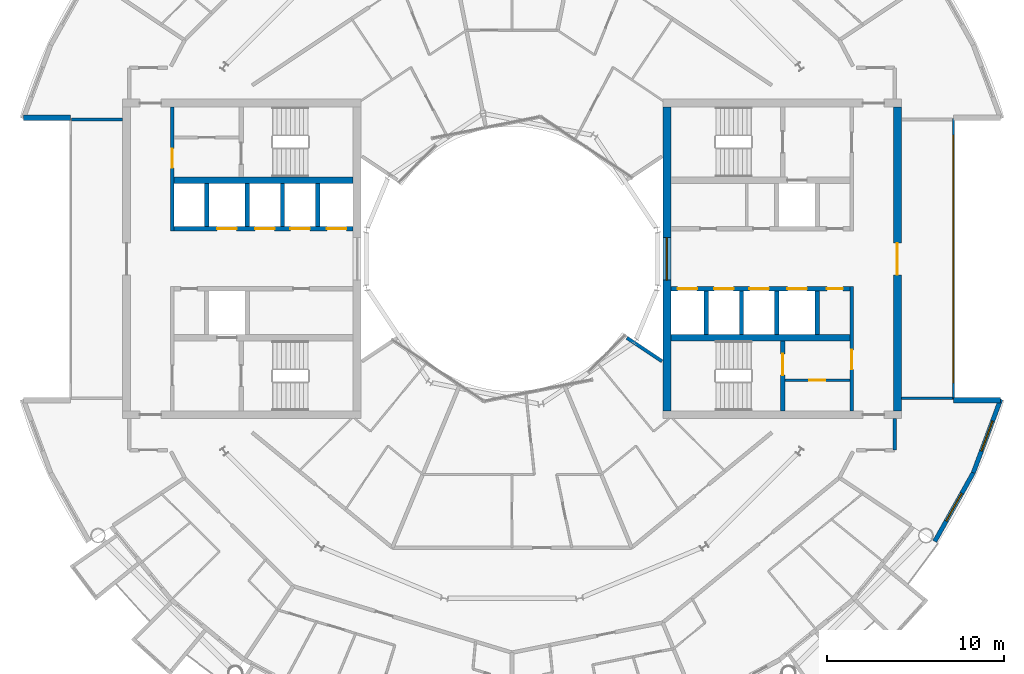
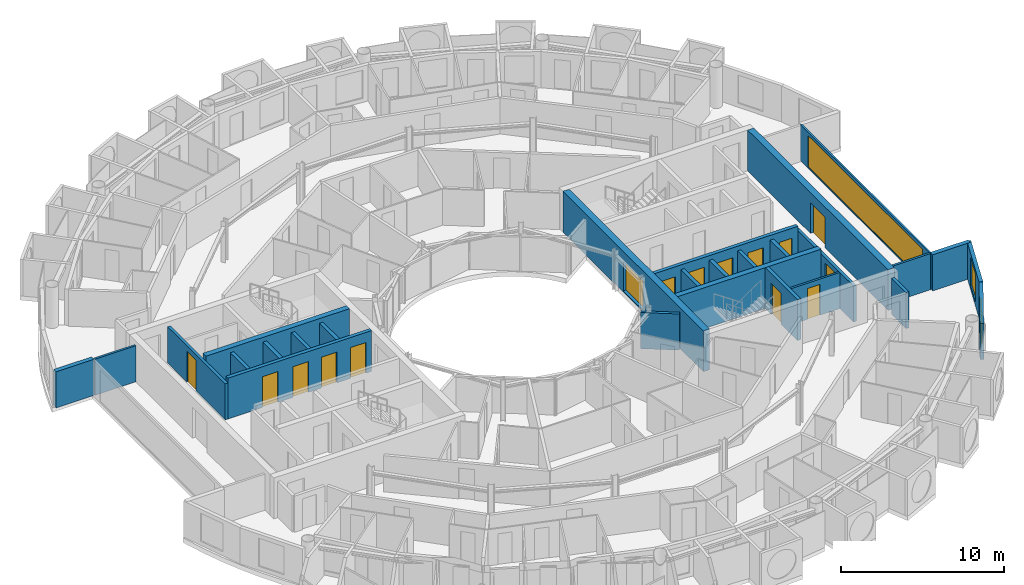
# One storey, part 19 of 27: 27 walls, 14 doors, 4 windows, 18 openings.
"""IFC4 building model written with IfcOpenShell, lengths in metres."""

from ifc_helpers import new_model, si_unit, direction, frame, frame_2d, origin, place, context, subcontext, project, spatial, rectangle, extrude, material, layer, layer_set, type_object, element, fill, save


model = new_model("IFC4")

# Units and contexts
model_context = context("Model", 3, precision=1e-05, world=origin(), true_north=direction((0.0, 1.0)))
body_context = subcontext(model_context, "Body", "Model", "MODEL_VIEW")
ifc_project = project(units=[si_unit("LENGTHUNIT", "METRE"), si_unit("AREAUNIT", "SQUARE_METRE"), si_unit("VOLUMEUNIT", "CUBIC_METRE"), si_unit("PLANEANGLEUNIT", "RADIAN"), si_unit("MASSUNIT", "GRAM", prefix="KILO")], contexts=[model_context])

# Site, building, storey
site_placement = place(None, origin())
site = spatial("IfcSite", under=ifc_project, at=site_placement, CompositionType="ELEMENT")
building_placement = place(site_placement, origin())
building = spatial("IfcBuilding", under=site, at=building_placement, Name="Maasbend Ring Residences", CompositionType="ELEMENT")
storey_placement = place(building_placement, frame((0.0, 0.0, 199.35009765625)))
storey = spatial("IfcBuildingStorey", under=building, at=storey_placement, Name="L57", CompositionType="ELEMENT", Elevation=199.35009765625)

# Wall, openings, doors
ifc_material_1 = material(Name="Concrete C50/60", Category="concrete")
ifc_layer_1 = layer(ifc_material_1, 0.25)
ifc_layer_set_1 = layer_set([ifc_layer_1], Name="Concrete C50/60")
wall_type_1 = type_object("IfcWallType", Name="CORE WALL 250 C50/60", PredefinedType="SHEAR", material=ifc_layer_set_1)
wall_1_placement = place(storey_placement, frame((19.14990234375, -1.699951171875, 0.0), z_axis=(0.0, 0.0, 1.0), x_axis=(-1.0, 0.0, 0.0)))
wall_1 = element("IfcWall", 1, at=wall_1_placement, inside=storey, type_object=wall_type_1, Name="L57 core E wall SPS", PredefinedType="SHEAR", context=body_context, shape_type="SweptSolid", body=[
    extrude(rectangle(XDim=10.14990234375, YDim=0.25, at=frame_2d((5.074951171875, 0.0))), origin(), (0.0, 0.0, 1.0), 3.0498046875),
])
opening_1_placement = place(wall_1_placement, frame((8.66259765625, 0.0, 0.0)))
opening_1 = element("IfcOpeningElement", 2, at=opening_1_placement, cuts=wall_1, Name="Opening LD-E5702", PredefinedType="OPENING", context=body_context, shape_type="SweptSolid", body=[
    extrude(rectangle(XDim=1.10009765625, YDim=2.300048828125, at=frame_2d((0.550048828125, 1.14990234375))), frame((0.0, 0.135009765625, 0.0), z_axis=(0.0, -1.0, 0.0), x_axis=(1.0, 0.0, 0.0)), (0.0, 0.0, 1.0), 0.27001953125),
])
opening_2_placement = place(wall_1_placement, frame((6.60009765625, 0.0, 0.0)))
opening_2 = element("IfcOpeningElement", 3, at=opening_2_placement, cuts=wall_1, Name="Opening LD-E5703", PredefinedType="OPENING", context=body_context, shape_type="SweptSolid", body=[
    extrude(rectangle(XDim=1.10009765625, YDim=2.300048828125, at=frame_2d((0.550048828125, 1.14990234375))), frame((0.0, 0.135009765625, 0.0), z_axis=(0.0, -1.0, 0.0), x_axis=(1.0, 0.0, 0.0)), (0.0, 0.0, 1.0), 0.27001953125),
])
opening_3_placement = place(wall_1_placement, frame((4.60009765625, 0.0, 0.0)))
opening_3 = element("IfcOpeningElement", 4, at=opening_3_placement, cuts=wall_1, Name="Opening LD-E5704", PredefinedType="OPENING", context=body_context, shape_type="SweptSolid", body=[
    extrude(rectangle(XDim=1.10009765625, YDim=2.300048828125, at=frame_2d((0.550048828125, 1.14990234375))), frame((0.0, 0.135009765625, 0.0), z_axis=(0.0, -1.0, 0.0), x_axis=(1.0, 0.0, 0.0)), (0.0, 0.0, 1.0), 0.27001953125),
])
opening_4_placement = place(wall_1_placement, frame((2.449951171875, 0.0, 0.0)))
opening_4 = element("IfcOpeningElement", 5, at=opening_4_placement, cuts=wall_1, Name="Opening LD-E5705", PredefinedType="OPENING", context=body_context, shape_type="SweptSolid", body=[
    extrude(rectangle(XDim=1.10009765625, YDim=2.300048828125, at=frame_2d((0.550048828125, 1.14990234375))), frame((0.0, 0.135009765625, 0.0), z_axis=(0.0, -1.0, 0.0), x_axis=(1.0, 0.0, 0.0)), (0.0, 0.0, 1.0), 0.27001953125),
])
opening_5_placement = place(wall_1_placement, frame((0.41259765625, 0.0, 0.0)))
opening_5 = element("IfcOpeningElement", 6, at=opening_5_placement, cuts=wall_1, Name="Opening D-E5709", PredefinedType="OPENING", context=body_context, shape_type="SweptSolid", body=[
    extrude(rectangle(XDim=0.89990234375, YDim=2.300048828125, at=frame_2d((0.449951171875, 1.14990234375))), frame((0.0, 0.135009765625, 0.0), z_axis=(0.0, -1.0, 0.0), x_axis=(1.0, 0.0, 0.0)), (0.0, 0.0, 1.0), 0.27001953125),
])
ifc_material_2 = material(Name="Stainless steel 316", Category="steel")
door_type_1 = type_object("IfcDoorType", Name="LANDING DOOR 1100 X 2300 FD60", OperationType="DOUBLE_DOOR_SLIDING", PredefinedType="DOOR", material=ifc_material_2)
door_1_placement = place(opening_1_placement, origin())
door_1 = element("IfcDoor", 7, at=door_1_placement, inside=storey, type_object=door_type_1, Name="Landing door HR-E1 L57", OperationType="DOUBLE_DOOR_SLIDING", OverallHeight=2.300048828125, OverallWidth=1.10009765625, PredefinedType="DOOR", context=body_context, shape_type="SweptSolid", body=[
    extrude(rectangle(XDim=1.10009765625, YDim=2.300048828125, at=frame_2d((0.550048828125, 1.14990234375))), frame((0.0, 0.02490234375, 0.0), z_axis=(0.0, -1.0, 0.0), x_axis=(1.0, 0.0, 0.0)), (0.0, 0.0, 1.0), 0.050048828125),
])
fill(opening_1, door_1)
door_2_placement = place(opening_2_placement, origin())
door_2 = element("IfcDoor", 8, at=door_2_placement, inside=storey, type_object=door_type_1, Name="Landing door HR-E2 L57", OperationType="DOUBLE_DOOR_SLIDING", OverallHeight=2.300048828125, OverallWidth=1.10009765625, PredefinedType="DOOR", context=body_context, shape_type="SweptSolid", body=[
    extrude(rectangle(XDim=1.10009765625, YDim=2.300048828125, at=frame_2d((0.550048828125, 1.14990234375))), frame((0.0, 0.02490234375, 0.0), z_axis=(0.0, -1.0, 0.0), x_axis=(1.0, 0.0, 0.0)), (0.0, 0.0, 1.0), 0.050048828125),
])
fill(opening_2, door_2)
door_3_placement = place(opening_3_placement, origin())
door_3 = element("IfcDoor", 9, at=door_3_placement, inside=storey, type_object=door_type_1, Name="Landing door HR-E3 L57", OperationType="DOUBLE_DOOR_SLIDING", OverallHeight=2.300048828125, OverallWidth=1.10009765625, PredefinedType="DOOR", context=body_context, shape_type="SweptSolid", body=[
    extrude(rectangle(XDim=1.10009765625, YDim=2.300048828125, at=frame_2d((0.550048828125, 1.14990234375))), frame((0.0, 0.02490234375, 0.0), z_axis=(0.0, -1.0, 0.0), x_axis=(1.0, 0.0, 0.0)), (0.0, 0.0, 1.0), 0.050048828125),
])
fill(opening_3, door_3)
door_4_placement = place(opening_4_placement, origin())
door_4 = element("IfcDoor", 10, at=door_4_placement, inside=storey, type_object=door_type_1, Name="Landing door SV-E L57", OperationType="DOUBLE_DOOR_SLIDING", OverallHeight=2.300048828125, OverallWidth=1.10009765625, PredefinedType="DOOR", context=body_context, shape_type="SweptSolid", body=[
    extrude(rectangle(XDim=1.10009765625, YDim=2.300048828125, at=frame_2d((0.550048828125, 1.14990234375))), frame((0.0, 0.02490234375, 0.0), z_axis=(0.0, -1.0, 0.0), x_axis=(1.0, 0.0, 0.0)), (0.0, 0.0, 1.0), 0.050048828125),
])
fill(opening_4, door_4)
ifc_material_3 = material(Name="Steel, powder coated", Category="steel")
door_type_2 = type_object("IfcDoorType", Name="ROOM DOOR 900 X 2300 FD30S", OperationType="NOTDEFINED", PredefinedType="DOOR", material=ifc_material_3)
door_5_placement = place(opening_5_placement, origin())
door_5 = element("IfcDoor", 11, at=door_5_placement, inside=storey, type_object=door_type_2, Name="Room door L57", OperationType="SINGLE_SWING_RIGHT", OverallHeight=2.300048828125, OverallWidth=0.89990234375, PredefinedType="DOOR", context=body_context, shape_type="SweptSolid", body=[
    extrude(rectangle(XDim=0.89990234375, YDim=2.300048828125, at=frame_2d((0.449951171875, 1.14990234375))), frame((0.0, 0.02490234375, 0.0), z_axis=(0.0, -1.0, 0.0), x_axis=(1.0, 0.0, 0.0)), (0.0, 0.0, 1.0), 0.050048828125),
])
fill(opening_5, door_5)

# Wall, opening, door
wall_2_placement = place(storey_placement, frame((15.324951171875, -8.60009765625, 0.0), z_axis=(0.0, 0.0, 1.0), x_axis=(0.0, 1.0, 0.0)))
wall_2 = element("IfcWall", 12, at=wall_2_placement, inside=storey, type_object=wall_type_1, Name="L57 core E wall STES", PredefinedType="SHEAR", context=body_context, shape_type="SweptSolid", body=[
    extrude(rectangle(XDim=3.9501953125, YDim=0.25, at=frame_2d((1.97509765625, 0.0))), origin(), (0.0, 0.0, 1.0), 3.0498046875),
])
opening_6_placement = place(wall_2_placement, frame((2.02490234375, 0.0, 0.0)))
opening_6 = element("IfcOpeningElement", 13, at=opening_6_placement, cuts=wall_2, Name="Opening D-E5712", PredefinedType="OPENING", context=body_context, shape_type="SweptSolid", body=[
    extrude(rectangle(XDim=1.199951171875, YDim=2.300048828125, at=frame_2d((0.60009765625, 1.14990234375))), frame((0.0, 0.135009765625, 0.0), z_axis=(0.0, -1.0, 0.0), x_axis=(1.0, 0.0, 0.0)), (0.0, 0.0, 1.0), 0.27001953125),
])
ifc_material_4 = material(Name="Steel, powder coated", Category="steel")
door_type_3 = type_object("IfcDoorType", Name="STAIR DOOR 1200 X 2300 FD60", OperationType="NOTDEFINED", PredefinedType="DOOR", material=ifc_material_4)
door_6_placement = place(opening_6_placement, origin())
door_6 = element("IfcDoor", 14, at=door_6_placement, inside=storey, type_object=door_type_3, Name="Stair door ST-E L57", OperationType="SINGLE_SWING_LEFT", OverallHeight=2.300048828125, OverallWidth=1.199951171875, PredefinedType="DOOR", context=body_context, shape_type="SweptSolid", body=[
    extrude(rectangle(XDim=1.199951171875, YDim=2.300048828125, at=frame_2d((0.60009765625, 1.14990234375))), frame((0.0, 0.02490234375, 0.0), z_axis=(0.0, -1.0, 0.0), x_axis=(1.0, 0.0, 0.0)), (0.0, 0.0, 1.0), 0.050048828125),
])
fill(opening_6, door_6)

# Wall, openings, doors
wall_3_placement = place(storey_placement, frame((-9.0, 1.699951171875, 0.0), z_axis=(0.0, 0.0, 1.0), x_axis=(-1.0, 0.0, 0.0)))
wall_3 = element("IfcWall", 15, at=wall_3_placement, inside=storey, type_object=wall_type_1, Name="L57 core W wall SPS", PredefinedType="SHEAR", context=body_context, shape_type="SweptSolid", body=[
    extrude(rectangle(XDim=10.14990234375, YDim=0.25, at=frame_2d((5.074951171875, 0.0))), origin(), (0.0, 0.0, 1.0), 3.0498046875),
])
opening_7_placement = place(wall_3_placement, frame((0.387451171875, 0.0, 0.0)))
opening_7 = element("IfcOpeningElement", 16, at=opening_7_placement, cuts=wall_3, Name="Opening LD-W5702", PredefinedType="OPENING", context=body_context, shape_type="SweptSolid", body=[
    extrude(rectangle(XDim=1.10009765625, YDim=2.300048828125, at=frame_2d((0.550048828125, 1.14990234375))), frame((0.0, 0.135009765625, 0.0), z_axis=(0.0, -1.0, 0.0), x_axis=(1.0, 0.0, 0.0)), (0.0, 0.0, 1.0), 0.27001953125),
])
opening_8_placement = place(wall_3_placement, frame((2.449951171875, 0.0, 0.0)))
opening_8 = element("IfcOpeningElement", 17, at=opening_8_placement, cuts=wall_3, Name="Opening LD-W5703", PredefinedType="OPENING", context=body_context, shape_type="SweptSolid", body=[
    extrude(rectangle(XDim=1.10009765625, YDim=2.300048828125, at=frame_2d((0.550048828125, 1.14990234375))), frame((0.0, 0.135009765625, 0.0), z_axis=(0.0, -1.0, 0.0), x_axis=(1.0, 0.0, 0.0)), (0.0, 0.0, 1.0), 0.27001953125),
])
opening_9_placement = place(wall_3_placement, frame((4.449951171875, 0.0, 0.0)))
opening_9 = element("IfcOpeningElement", 18, at=opening_9_placement, cuts=wall_3, Name="Opening LD-W5704", PredefinedType="OPENING", context=body_context, shape_type="SweptSolid", body=[
    extrude(rectangle(XDim=1.10009765625, YDim=2.300048828125, at=frame_2d((0.550048828125, 1.14990234375))), frame((0.0, 0.135009765625, 0.0), z_axis=(0.0, -1.0, 0.0), x_axis=(1.0, 0.0, 0.0)), (0.0, 0.0, 1.0), 0.27001953125),
])
opening_10_placement = place(wall_3_placement, frame((6.60009765625, 0.0, 0.0)))
opening_10 = element("IfcOpeningElement", 19, at=opening_10_placement, cuts=wall_3, Name="Opening LD-W5705", PredefinedType="OPENING", context=body_context, shape_type="SweptSolid", body=[
    extrude(rectangle(XDim=1.10009765625, YDim=2.300048828125, at=frame_2d((0.550048828125, 1.14990234375))), frame((0.0, 0.135009765625, 0.0), z_axis=(0.0, -1.0, 0.0), x_axis=(1.0, 0.0, 0.0)), (0.0, 0.0, 1.0), 0.27001953125),
])
door_7_placement = place(opening_7_placement, origin())
door_7 = element("IfcDoor", 20, at=door_7_placement, inside=storey, type_object=door_type_1, Name="Landing door HR-W1 L57", OperationType="DOUBLE_DOOR_SLIDING", OverallHeight=2.300048828125, OverallWidth=1.10009765625, PredefinedType="DOOR", context=body_context, shape_type="SweptSolid", body=[
    extrude(rectangle(XDim=1.10009765625, YDim=2.300048828125, at=frame_2d((0.550048828125, 1.14990234375))), frame((0.0, 0.02490234375, 0.0), z_axis=(0.0, -1.0, 0.0), x_axis=(1.0, 0.0, 0.0)), (0.0, 0.0, 1.0), 0.050048828125),
])
fill(opening_7, door_7)
door_8_placement = place(opening_8_placement, origin())
door_8 = element("IfcDoor", 21, at=door_8_placement, inside=storey, type_object=door_type_1, Name="Landing door HR-W2 L57", OperationType="DOUBLE_DOOR_SLIDING", OverallHeight=2.300048828125, OverallWidth=1.10009765625, PredefinedType="DOOR", context=body_context, shape_type="SweptSolid", body=[
    extrude(rectangle(XDim=1.10009765625, YDim=2.300048828125, at=frame_2d((0.550048828125, 1.14990234375))), frame((0.0, 0.02490234375, 0.0), z_axis=(0.0, -1.0, 0.0), x_axis=(1.0, 0.0, 0.0)), (0.0, 0.0, 1.0), 0.050048828125),
])
fill(opening_8, door_8)
door_9_placement = place(opening_9_placement, origin())
door_9 = element("IfcDoor", 22, at=door_9_placement, inside=storey, type_object=door_type_1, Name="Landing door HR-W3 L57", OperationType="DOUBLE_DOOR_SLIDING", OverallHeight=2.300048828125, OverallWidth=1.10009765625, PredefinedType="DOOR", context=body_context, shape_type="SweptSolid", body=[
    extrude(rectangle(XDim=1.10009765625, YDim=2.300048828125, at=frame_2d((0.550048828125, 1.14990234375))), frame((0.0, 0.02490234375, 0.0), z_axis=(0.0, -1.0, 0.0), x_axis=(1.0, 0.0, 0.0)), (0.0, 0.0, 1.0), 0.050048828125),
])
fill(opening_9, door_9)
door_10_placement = place(opening_10_placement, origin())
door_10 = element("IfcDoor", 23, at=door_10_placement, inside=storey, type_object=door_type_1, Name="Landing door SV-W L57", OperationType="DOUBLE_DOOR_SLIDING", OverallHeight=2.300048828125, OverallWidth=1.10009765625, PredefinedType="DOOR", context=body_context, shape_type="SweptSolid", body=[
    extrude(rectangle(XDim=1.10009765625, YDim=2.300048828125, at=frame_2d((0.550048828125, 1.14990234375))), frame((0.0, 0.02490234375, 0.0), z_axis=(0.0, -1.0, 0.0), x_axis=(1.0, 0.0, 0.0)), (0.0, 0.0, 1.0), 0.050048828125),
])
fill(opening_10, door_10)

# Walls
ifc_material_5 = material(Name="Concrete C50/60", Category="concrete")
ifc_layer_2 = layer(ifc_material_5, 0.375)
ifc_layer_set_2 = layer_set([ifc_layer_2], Name="Concrete C50/60")
wall_type_2 = type_object("IfcWallType", Name="CORE WALL 375 C50/60", PredefinedType="SHEAR", material=ifc_layer_set_2)
for number, where, z_axis, x_axis, name in (
    (24, (9.0, -4.46240234375, 0.0), (0.0, 0.0, 1.0), (1.0, 0.0, 0.0), "L57 core E wall BS"),
    (25, (-9.0, 4.46240234375, 0.0), (0.0, 0.0, 1.0), (-1.0, 0.0, 0.0), "L57 core W wall BS"),
):
    element("IfcWall", number, at=place(storey_placement, frame(where, z_axis=z_axis, x_axis=x_axis)), inside=storey, type_object=wall_type_2, Name=name, PredefinedType="SHEAR", context=body_context, shape_type="SweptSolid", body=[
        extrude(rectangle(XDim=10.14990234375, YDim=0.375, at=frame_2d((5.074951171875, 0.0))), origin(), (0.0, 0.0, 1.0), 3.0498046875),
    ])

# Wall, opening, door
ifc_material_6 = material(Name="Concrete C50/60", Category="concrete")
ifc_layer_3 = layer(ifc_material_6, 0.449951171875)
ifc_layer_set_3 = layer_set([ifc_layer_3], Name="Concrete C50/60")
wall_type_3 = type_object("IfcWallType", Name="CORE WALL 450 C50/60", PredefinedType="SHEAR", material=ifc_layer_set_3)
wall_4_placement = place(storey_placement, frame((21.824951171875, 8.60009765625, 0.0), z_axis=(0.0, 0.0, 1.0), x_axis=(0.0, -1.0, 0.0)))
wall_4 = element("IfcWall", 26, at=wall_4_placement, inside=storey, type_object=wall_type_3, Name="L57 core E wall POUT", PredefinedType="SHEAR", context=body_context, shape_type="SweptSolid", body=[
    extrude(rectangle(XDim=17.2001953125, YDim=0.449951171875, at=frame_2d((8.60009765625, 0.0))), origin(), (0.0, 0.0, 1.0), 3.0498046875),
])
opening_11_placement = place(wall_4_placement, frame((7.699951171875, 0.0, 0.0)))
opening_11 = element("IfcOpeningElement", 27, at=opening_11_placement, cuts=wall_4, Name="Opening D-E5717", PredefinedType="OPENING", context=body_context, shape_type="SweptSolid", body=[
    extrude(rectangle(XDim=1.800048828125, YDim=2.300048828125, at=frame_2d((0.89990234375, 1.14990234375))), frame((0.0, 0.23486328125, 0.0), z_axis=(0.0, -1.0, 0.0), x_axis=(1.0, 0.0, 0.0)), (0.0, 0.0, 1.0), 0.469970703125),
])
ifc_material_7 = material(Name="Aluminium frame, clear glass", Category="aluminium")
door_type_4 = type_object("IfcDoorType", Name="ENTRANCE DOOR 1800 X 2300 FD60", OperationType="NOTDEFINED", PredefinedType="DOOR", material=ifc_material_7)
door_11_placement = place(opening_11_placement, origin())
door_11 = element("IfcDoor", 28, at=door_11_placement, inside=storey, type_object=door_type_4, Name="Lobby glazed door L57", OperationType="SINGLE_SWING_LEFT", OverallHeight=2.300048828125, OverallWidth=1.800048828125, PredefinedType="DOOR", context=body_context, shape_type="SweptSolid", body=[
    extrude(rectangle(XDim=1.800048828125, YDim=2.300048828125, at=frame_2d((0.89990234375, 1.14990234375))), frame((0.0, 0.02490234375, 0.0), z_axis=(0.0, -1.0, 0.0), x_axis=(1.0, 0.0, 0.0)), (0.0, 0.0, 1.0), 0.050048828125),
])
fill(opening_11, door_11)

# Wall, opening, window
wall_5_placement = place(storey_placement, frame((8.77490234375, -8.60009765625, 0.0), z_axis=(0.0, 0.0, 1.0), x_axis=(0.0, 1.0, 0.0)))
wall_5 = element("IfcWall", 29, at=wall_5_placement, inside=storey, type_object=wall_type_3, Name="L57 core E wall PIN", PredefinedType="SHEAR", context=body_context, shape_type="SweptSolid", body=[
    extrude(rectangle(XDim=17.2001953125, YDim=0.449951171875, at=frame_2d((8.60009765625, 0.0))), origin(), (0.0, 0.0, 1.0), 3.0498046875),
])
opening_12_placement = place(wall_5_placement, frame((7.39990234375, 0.0, 0.10009765625)))
opening_12 = element("IfcOpeningElement", 30, at=opening_12_placement, cuts=wall_5, Name="Opening W-E5701", PredefinedType="OPENING", context=body_context, shape_type="SweptSolid", body=[
    extrude(rectangle(XDim=2.39990234375, YDim=2.199951171875, at=frame_2d((1.199951171875, 1.10009765625))), frame((0.0, 0.23486328125, 0.0), z_axis=(0.0, -1.0, 0.0), x_axis=(1.0, 0.0, 0.0)), (0.0, 0.0, 1.0), 0.469970703125),
])
ifc_material_8 = material(Name="Aluminium frame and clear glass", Category="aluminium")
window_type_1 = type_object("IfcWindowType", Name="FIXED WINDOW 2400 X 2200", PartitioningType="SINGLE_PANEL", PredefinedType="WINDOW", material=ifc_material_8)
window_1_placement = place(opening_12_placement, origin())
window_1 = element("IfcWindow", 31, at=window_1_placement, inside=storey, type_object=window_type_1, Name="Lobby window L57", OverallHeight=2.199951171875, OverallWidth=2.39990234375, PartitioningType="SINGLE_PANEL", PredefinedType="WINDOW", context=body_context, shape_type="SweptSolid", body=[
    extrude(rectangle(XDim=2.39990234375, YDim=2.199951171875, at=frame_2d((1.199951171875, 1.10009765625))), frame((0.0, 0.030029296875, 0.0), z_axis=(0.0, -1.0, 0.0), x_axis=(1.0, 0.0, 0.0)), (0.0, 0.0, 1.0), 0.06005859375),
])
fill(opening_12, window_1)

# Wall
ifc_material_9 = material(Name="Concrete C30/37", Category="concrete")
ifc_layer_4 = layer(ifc_material_9, 0.199951171875)
ifc_layer_set_4 = layer_set([ifc_layer_4], Name="Concrete C30/37")
wall_type_4 = type_object("IfcWallType", Name="CORRIDOR WALL 200 CONCRETE", PredefinedType="PARTITIONING", material=ifc_layer_set_4)
wall_6_placement = place(storey_placement, frame((21.675048828125, -10.824951171875, 0.0), z_axis=(0.0, 0.0, 1.0), x_axis=(0.0, 1.0, 0.0)))
element("IfcWall", 32, at=wall_6_placement, inside=storey, type_object=wall_type_4, Name="U-L57-w013", PredefinedType="PARTITIONING", context=body_context, shape_type="SweptSolid", body=[
    extrude(rectangle(XDim=1.77490234375, YDim=0.199951171875, at=frame_2d((0.887451171875, 0.0))), origin(), (0.0, 0.0, 1.0), 2.699951171875),
])

# Wall, opening, window
ifc_material_10 = material(Name="Aluminium clad insulated panel", Category="aluminium")
ifc_layer_5 = layer(ifc_material_10, 0.25)
ifc_layer_set_5 = layer_set([ifc_layer_5], Name="EW-HORN")
wall_type_5 = type_object("IfcWallType", Name="EW-HORN", PredefinedType="SOLIDWALL", material=ifc_layer_set_5)
wall_7_placement = place(storey_placement, frame((23.946044921875, -16.0, 0.0), z_axis=(0.0, 0.0, 1.0), x_axis=(0.489696356642, 0.871893042919, 0.0)))
wall_7 = element("IfcWall", 33, at=wall_7_placement, inside=storey, type_object=wall_type_5, Name="Horn wall 2.1", PredefinedType="SOLIDWALL", context=body_context, shape_type="SweptSolid", body=[
    extrude(rectangle(XDim=4.45361328125, YDim=0.25, at=frame_2d((2.226806640625, 0.0))), origin(), (0.0, 0.0, 1.0), 2.699951171875),
])
opening_13_placement = place(wall_7_placement, frame((1.32666015625, 0.0, 0.300048828125)))
opening_13 = element("IfcOpeningElement", 34, at=opening_13_placement, cuts=wall_7, Name="Opening W-BX", PredefinedType="OPENING", context=body_context, shape_type="SweptSolid", body=[
    extrude(rectangle(XDim=1.800048828125, YDim=2.10009765625, at=frame_2d((0.89990234375, 1.050048828125))), frame((0.0, 0.135009765625, 0.0), z_axis=(0.0, -1.0, 0.0), x_axis=(1.0, 0.0, 0.0)), (0.0, 0.0, 1.0), 0.27001953125),
])
ifc_material_11 = material(Name="Aluminium and clear glass", Category="aluminium")
window_type_2 = type_object("IfcWindowType", Name="W-BX", PartitioningType="DOUBLE_PANEL_VERTICAL", PredefinedType="WINDOW", material=ifc_material_11)
window_2_placement = place(opening_13_placement, origin())
window_2 = element("IfcWindow", 35, at=window_2_placement, inside=storey, type_object=window_type_2, Name="Horn window 2.1", OverallHeight=2.10009765625, OverallWidth=1.800048828125, PartitioningType="SINGLE_PANEL", PredefinedType="WINDOW", context=body_context, shape_type="SweptSolid", body=[
    extrude(rectangle(XDim=1.800048828125, YDim=2.10009765625, at=frame_2d((0.89990234375, 1.050048828125))), frame((0.0, 0.030029296875, 0.0), z_axis=(0.0, -1.0, 0.0), x_axis=(1.0, 0.0, 0.0)), (0.0, 0.0, 1.0), 0.06005859375),
])
fill(opening_13, window_2)

wall_8_placement = place(storey_placement, frame((26.126953125, -12.116943359375, 0.0), z_axis=(0.0, 0.0, 1.0), x_axis=(0.349247811493, 0.937030397675, 0.0)))
wall_8 = element("IfcWall", 36, at=wall_8_placement, inside=storey, type_object=wall_type_5, Name="Horn wall 2.2", PredefinedType="SOLIDWALL", context=body_context, shape_type="SweptSolid", body=[
    extrude(rectangle(XDim=4.4521484375, YDim=0.25, at=frame_2d((2.22607421875, 0.0))), origin(), (0.0, 0.0, 1.0), 2.699951171875),
])
opening_14_placement = place(wall_8_placement, frame((1.32666015625, 0.0, 0.300048828125)))
opening_14 = element("IfcOpeningElement", 37, at=opening_14_placement, cuts=wall_8, Name="Opening W-BX", PredefinedType="OPENING", context=body_context, shape_type="SweptSolid", body=[
    extrude(rectangle(XDim=1.800048828125, YDim=2.10009765625, at=frame_2d((0.89990234375, 1.050048828125))), frame((0.0, 0.135009765625, 0.0), z_axis=(0.0, -1.0, 0.0), x_axis=(1.0, 0.0, 0.0)), (0.0, 0.0, 1.0), 0.27001953125),
])
window_3_placement = place(opening_14_placement, origin())
window_3 = element("IfcWindow", 38, at=window_3_placement, inside=storey, type_object=window_type_2, Name="Horn window 2.2", OverallHeight=2.10009765625, OverallWidth=1.800048828125, PartitioningType="SINGLE_PANEL", PredefinedType="WINDOW", context=body_context, shape_type="SweptSolid", body=[
    extrude(rectangle(XDim=1.800048828125, YDim=2.10009765625, at=frame_2d((0.89990234375, 1.050048828125))), frame((0.0, 0.030029296875, 0.0), z_axis=(0.0, -1.0, 0.0), x_axis=(1.0, 0.0, 0.0)), (0.0, 0.0, 1.0), 0.06005859375),
])
fill(opening_14, window_3)

# Walls
ifc_material_12 = material(Name="Aluminium clad insulated panel", Category="aluminium")
ifc_layer_6 = layer(ifc_material_12, 0.300048828125)
ifc_layer_set_6 = layer_set([ifc_layer_6], Name="EW-RET")
wall_type_6 = type_object("IfcWallType", Name="EW-RET", PredefinedType="SOLIDWALL", material=ifc_layer_set_6)
for number, where, z_axis, x_axis, name in (
    (39, (25.0, -8.0, 0.0), (0.0, 0.0, 1.0), (1.0, 0.0, 0.0), "Notch return wall east south"),
    (40, (-25.0, 8.0, 0.0), (0.0, 0.0, 1.0), (-1.0, 0.0, 0.0), "Notch return wall west north"),
):
    element("IfcWall", number, at=place(storey_placement, frame(where, z_axis=z_axis, x_axis=x_axis)), inside=storey, type_object=wall_type_6, Name=name, PredefinedType="SOLIDWALL", context=body_context, shape_type="SweptSolid", body=[
        extrude(rectangle(XDim=2.6669921875, YDim=0.300048828125, at=frame_2d((1.33349609375, 0.0))), origin(), (0.0, 0.0, 1.0), 2.699951171875),
    ])

# Wall, opening, window
ifc_material_13 = material(Name="Aluminium frame and clear glass", Category="aluminium")
ifc_layer_7 = layer(ifc_material_13, 0.1201171875)
ifc_layer_set_7 = layer_set([ifc_layer_7], Name="GLAZED SCREEN WALL 120 EI 60")
wall_type_7 = type_object("IfcWallType", Name="GLAZED SCREEN WALL 120 EI 60", PredefinedType="PARTITIONING", material=ifc_layer_set_7)
wall_9_placement = place(storey_placement, frame((25.0, -7.949951171875, 0.0), z_axis=(0.0, 0.0, 1.0), x_axis=(0.0, 1.0, 0.0)))
wall_9 = element("IfcWall", 41, at=wall_9_placement, inside=storey, type_object=wall_type_7, Name="L57 core E wall FACE", PredefinedType="PARTITIONING", context=body_context, shape_type="SweptSolid", body=[
    extrude(rectangle(XDim=15.89990234375, YDim=0.1201171875, at=frame_2d((7.949951171875, 0.0))), origin(), (0.0, 0.0, 1.0), 2.699951171875),
])
opening_15_placement = place(wall_9_placement, frame((0.949951171875, 0.0, 0.10009765625)))
opening_15 = element("IfcOpeningElement", 42, at=opening_15_placement, cuts=wall_9, Name="Opening W-E5702", PredefinedType="OPENING", context=body_context, shape_type="SweptSolid", body=[
    extrude(rectangle(XDim=14.0, YDim=2.35009765625, at=frame_2d((7.0, 1.175048828125))), frame((0.0, 0.070068359375, 0.0), z_axis=(0.0, -1.0, 0.0), x_axis=(1.0, 0.0, 0.0)), (0.0, 0.0, 1.0), 0.14013671875),
])
ifc_material_14 = material(Name="Aluminium frame and clear glass", Category="aluminium")
window_type_3 = type_object("IfcWindowType", Name="FIXED WINDOW 14000 X 2350", PartitioningType="SINGLE_PANEL", PredefinedType="WINDOW", material=ifc_material_14)
window_4_placement = place(opening_15_placement, origin())
window_4 = element("IfcWindow", 43, at=window_4_placement, inside=storey, type_object=window_type_3, Name="Lobby window L57", OverallHeight=2.35009765625, OverallWidth=14.0, PartitioningType="SINGLE_PANEL", PredefinedType="WINDOW", context=body_context, shape_type="SweptSolid", body=[
    extrude(rectangle(XDim=14.0, YDim=2.35009765625, at=frame_2d((7.0, 1.175048828125))), frame((0.0, 0.030029296875, 0.0), z_axis=(0.0, -1.0, 0.0), x_axis=(1.0, 0.0, 0.0)), (0.0, 0.0, 1.0), 0.06005859375),
])
fill(opening_15, window_4)

# Wall, opening, door
ifc_material_15 = material(Name="Gypsum board on steel studs", Category="steel")
ifc_layer_8 = layer(ifc_material_15, 0.14990234375)
ifc_layer_set_8 = layer_set([ifc_layer_8], Name="PARTITION 150 EI 60")
wall_type_8 = type_object("IfcWallType", Name="PARTITION 150 EI 60", PredefinedType="PARTITIONING", material=ifc_layer_set_8)
wall_10_placement = place(storey_placement, frame((15.449951171875, -6.875, 0.0), z_axis=(0.0, 0.0, 1.0), x_axis=(1.0, 0.0, 0.0)))
wall_10 = element("IfcWall", 44, at=wall_10_placement, inside=storey, type_object=wall_type_8, Name="L57 core E wall RHS", PredefinedType="PARTITIONING", context=body_context, shape_type="SweptSolid", body=[
    extrude(rectangle(XDim=3.699951171875, YDim=0.14990234375, at=frame_2d((1.85009765625, 0.0))), origin(), (0.0, 0.0, 1.0), 2.699951171875),
])
opening_16_placement = place(wall_10_placement, frame((1.39990234375, 0.0, 0.0)))
opening_16 = element("IfcOpeningElement", 45, at=opening_16_placement, cuts=wall_10, Name="Opening D-E5710", PredefinedType="OPENING", context=body_context, shape_type="SweptSolid", body=[
    extrude(rectangle(XDim=0.89990234375, YDim=2.300048828125, at=frame_2d((0.449951171875, 1.14990234375))), frame((0.0, 0.0849609375, 0.0), z_axis=(0.0, -1.0, 0.0), x_axis=(1.0, 0.0, 0.0)), (0.0, 0.0, 1.0), 0.169921875),
])
ifc_material_16 = material(Name="Steel, powder coated", Category="steel")
door_type_5 = type_object("IfcDoorType", Name="RISER DOOR 900 X 2300 FD60", OperationType="NOTDEFINED", PredefinedType="DOOR", material=ifc_material_16)
door_12_placement = place(opening_16_placement, origin())
door_12 = element("IfcDoor", 46, at=door_12_placement, inside=storey, type_object=door_type_5, Name="Riser door L57", OperationType="SINGLE_SWING_LEFT", OverallHeight=2.300048828125, OverallWidth=0.89990234375, PredefinedType="DOOR", context=body_context, shape_type="SweptSolid", body=[
    extrude(rectangle(XDim=0.89990234375, YDim=2.300048828125, at=frame_2d((0.449951171875, 1.14990234375))), frame((0.0, 0.02490234375, 0.0), z_axis=(0.0, -1.0, 0.0), x_axis=(1.0, 0.0, 0.0)), (0.0, 0.0, 1.0), 0.050048828125),
])
fill(opening_16, door_12)

# Walls
for number, where, z_axis, x_axis, name in (
    (47, (22.050048828125, -7.89990234375, 0.0), (0.0, 0.0, 1.0), (1.0, 0.0, 0.0), "L57 core E wall CITS"),
    (48, (-22.050048828125, 7.89990234375, 0.0), (0.0, 0.0, 1.0), (-1.0, 0.0, 0.0), "L57 core W wall CITS"),
):
    element("IfcWall", number, at=place(storey_placement, frame(where, z_axis=z_axis, x_axis=x_axis)), inside=storey, type_object=wall_type_8, Name=name, PredefinedType="PARTITIONING", context=body_context, shape_type="SweptSolid", body=[
        extrude(rectangle(XDim=2.889892578125, YDim=0.14990234375, at=frame_2d((1.44482421875, 0.0))), origin(), (0.0, 0.0, 1.0), 2.699951171875),
    ])
ifc_material_17 = material(Name="Concrete C30/37", Category="concrete")
ifc_layer_9 = layer(ifc_material_17, 0.199951171875)
ifc_layer_set_9 = layer_set([ifc_layer_9], Name="Concrete C30/37")
wall_type_9 = type_object("IfcWallType", Name="PARTY WALL 200 CONCRETE", PredefinedType="PARTITIONING", material=ifc_layer_set_9)
wall_11_placement = place(storey_placement, frame((6.512939453125, -4.471923828125, 0.0), z_axis=(0.0, 0.0, 1.0), x_axis=(0.831403409976, -0.555669299026, 0.0)))
element("IfcWall", 49, at=wall_11_placement, inside=storey, type_object=wall_type_9, Name="U-L57-w029", PredefinedType="PARTITIONING", context=body_context, shape_type="SweptSolid", body=[
    extrude(rectangle(XDim=2.382568359375, YDim=0.199951171875, at=frame_2d((1.19140625, 0.0))), origin(), (0.0, 0.0, 1.0), 2.699951171875),
])

# Wall, opening, door
ifc_material_18 = material(Name="Concrete C30/37", Category="concrete")
ifc_layer_10 = layer(ifc_material_18, 0.199951171875)
ifc_layer_set_10 = layer_set([ifc_layer_10], Name="Concrete C30/37")
wall_type_10 = type_object("IfcWallType", Name="SHAFT WALL 200 EI 120", PredefinedType="SOLIDWALL", material=ifc_layer_set_10)
wall_12_placement = place(storey_placement, frame((19.25, -8.60009765625, 0.0), z_axis=(0.0, 0.0, 1.0), x_axis=(0.0, 1.0, 0.0)))
wall_12 = element("IfcWall", 50, at=wall_12_placement, inside=storey, type_object=wall_type_10, Name="L57 core E wall ENDS", PredefinedType="SOLIDWALL", context=body_context, shape_type="SweptSolid", body=[
    extrude(rectangle(XDim=7.025146484375, YDim=0.199951171875, at=frame_2d((3.5126953125, 0.0))), origin(), (0.0, 0.0, 1.0), 2.699951171875),
])
opening_17_placement = place(wall_12_placement, frame((2.35009765625, 0.0, 0.0)))
opening_17 = element("IfcOpeningElement", 51, at=opening_17_placement, cuts=wall_12, Name="Opening D-E5714", PredefinedType="OPENING", context=body_context, shape_type="SweptSolid", body=[
    extrude(rectangle(XDim=1.10009765625, YDim=2.300048828125, at=frame_2d((0.550048828125, 1.14990234375))), frame((0.0, 0.10986328125, 0.0), z_axis=(0.0, -1.0, 0.0), x_axis=(1.0, 0.0, 0.0)), (0.0, 0.0, 1.0), 0.219970703125),
])
ifc_material_19 = material(Name="Steel, powder coated", Category="steel")
door_type_6 = type_object("IfcDoorType", Name="LOBBY DOOR 1100 X 2300 FD60", OperationType="NOTDEFINED", PredefinedType="DOOR", material=ifc_material_19)
door_13_placement = place(opening_17_placement, origin())
door_13 = element("IfcDoor", 52, at=door_13_placement, inside=storey, type_object=door_type_6, Name="Lobby door L57", OperationType="SINGLE_SWING_RIGHT", OverallHeight=2.300048828125, OverallWidth=1.10009765625, PredefinedType="DOOR", context=body_context, shape_type="SweptSolid", body=[
    extrude(rectangle(XDim=1.10009765625, YDim=2.300048828125, at=frame_2d((0.550048828125, 1.14990234375))), frame((0.0, 0.02490234375, 0.0), z_axis=(0.0, -1.0, 0.0), x_axis=(1.0, 0.0, 0.0)), (0.0, 0.0, 1.0), 0.050048828125),
])
fill(opening_17, door_13)

wall_13_placement = place(storey_placement, frame((-19.25, 8.60009765625, 0.0), z_axis=(0.0, 0.0, 1.0), x_axis=(0.0, -1.0, 0.0)))
wall_13 = element("IfcWall", 53, at=wall_13_placement, inside=storey, type_object=wall_type_10, Name="L57 core W wall ENDS", PredefinedType="SOLIDWALL", context=body_context, shape_type="SweptSolid", body=[
    extrude(rectangle(XDim=7.025146484375, YDim=0.199951171875, at=frame_2d((3.5126953125, 0.0))), origin(), (0.0, 0.0, 1.0), 2.699951171875),
])
opening_18_placement = place(wall_13_placement, frame((2.35009765625, 0.0, 0.0)))
opening_18 = element("IfcOpeningElement", 54, at=opening_18_placement, cuts=wall_13, Name="Opening D-W5712", PredefinedType="OPENING", context=body_context, shape_type="SweptSolid", body=[
    extrude(rectangle(XDim=1.10009765625, YDim=2.300048828125, at=frame_2d((0.550048828125, 1.14990234375))), frame((0.0, 0.10986328125, 0.0), z_axis=(0.0, -1.0, 0.0), x_axis=(1.0, 0.0, 0.0)), (0.0, 0.0, 1.0), 0.219970703125),
])
door_14_placement = place(opening_18_placement, origin())
door_14 = element("IfcDoor", 55, at=door_14_placement, inside=storey, type_object=door_type_6, Name="Lobby door L57", OperationType="SINGLE_SWING_RIGHT", OverallHeight=2.300048828125, OverallWidth=1.10009765625, PredefinedType="DOOR", context=body_context, shape_type="SweptSolid", body=[
    extrude(rectangle(XDim=1.10009765625, YDim=2.300048828125, at=frame_2d((0.550048828125, 1.14990234375))), frame((0.0, 0.02490234375, 0.0), z_axis=(0.0, -1.0, 0.0), x_axis=(1.0, 0.0, 0.0)), (0.0, 0.0, 1.0), 0.050048828125),
])
fill(opening_18, door_14)

# Walls
ifc_material_20 = material(Name="Concrete C30/37", Category="concrete")
ifc_layer_11 = layer(ifc_material_20, 0.25)
ifc_layer_set_11 = layer_set([ifc_layer_11], Name="Concrete C30/37")
wall_type_11 = type_object("IfcWallType", Name="SHAFT WALL 250 EI 120", PredefinedType="SOLIDWALL", material=ifc_layer_set_11)
for number, where, z_axis, x_axis, name in (
    (56, (15.0, -1.824951171875, 0.0), (0.0, 0.0, 1.0), (0.0, -1.0, 0.0), "L57 core E wall D150S"),
    (57, (17.300048828125, -1.824951171875, 0.0), (0.0, 0.0, 1.0), (0.0, -1.0, 0.0), "L57 core E wall D173S"),
    (58, (11.0, -1.824951171875, 0.0), (0.0, 0.0, 1.0), (0.0, -1.0, 0.0), "L57 core E wall D110S"),
    (59, (13.0, -1.824951171875, 0.0), (0.0, 0.0, 1.0), (0.0, -1.0, 0.0), "L57 core E wall D130S"),
    (60, (-15.0, 1.824951171875, 0.0), (0.0, 0.0, 1.0), (0.0, 1.0, 0.0), "L57 core W wall D150S"),
    (61, (-17.300048828125, 1.824951171875, 0.0), (0.0, 0.0, 1.0), (0.0, 1.0, 0.0), "L57 core W wall D173S"),
    (62, (-11.0, 1.824951171875, 0.0), (0.0, 0.0, 1.0), (0.0, 1.0, 0.0), "L57 core W wall D110S"),
    (63, (-13.0, 1.824951171875, 0.0), (0.0, 0.0, 1.0), (0.0, 1.0, 0.0), "L57 core W wall D130S"),
):
    element("IfcWall", number, at=place(storey_placement, frame(where, z_axis=z_axis, x_axis=x_axis)), inside=storey, type_object=wall_type_11, Name=name, PredefinedType="SOLIDWALL", context=body_context, shape_type="SweptSolid", body=[
        extrude(rectangle(XDim=2.449951171875, YDim=0.25, at=frame_2d((1.22509765625, 0.0))), origin(), (0.0, 0.0, 1.0), 2.699951171875),
    ])

save(model, "model.ifc")
